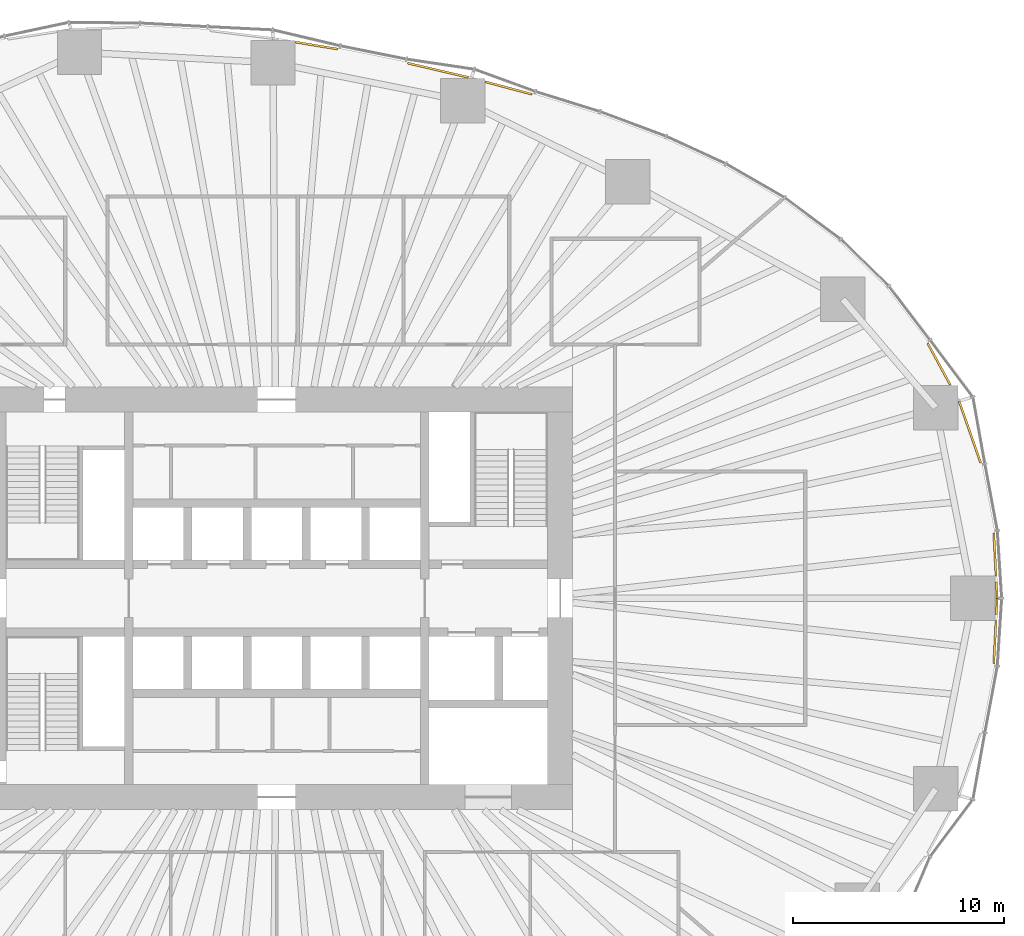
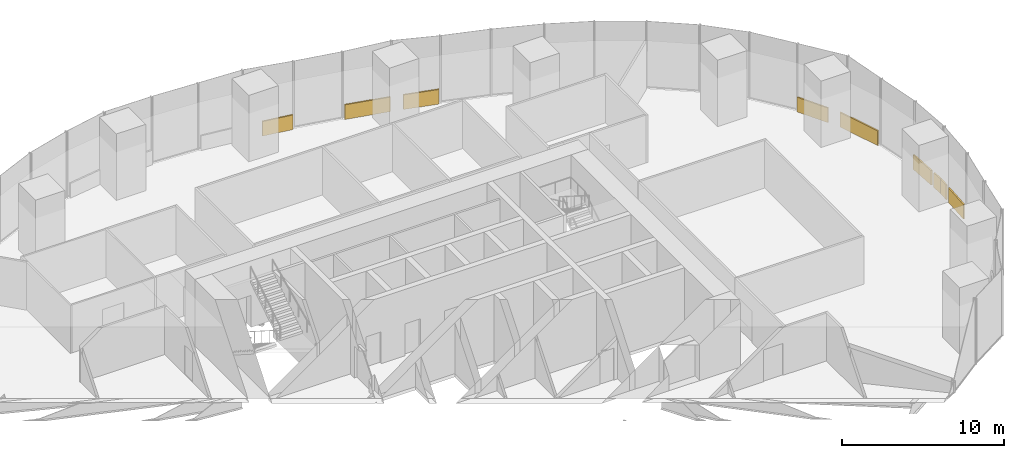
# One storey, part 20 of 20: 9 coverings.
"""IFC4 building model written with IfcOpenShell, lengths in metres."""

from ifc_helpers import new_model, si_unit, direction, frame, origin, origin_2d, place, context, subcontext, project, spatial, rectangle, extrude, material, layer, layer_set, type_object, element, save


model = new_model("IFC4")

# Units and contexts
model_context = context("Model", 3, precision=1e-05, world=origin(), true_north=direction((0.0, 1.0)))
body_context = subcontext(model_context, "Body", "Model", "MODEL_VIEW")
ifc_project = project(units=[si_unit("LENGTHUNIT", "METRE"), si_unit("AREAUNIT", "SQUARE_METRE"), si_unit("VOLUMEUNIT", "CUBIC_METRE"), si_unit("PLANEANGLEUNIT", "RADIAN"), si_unit("MASSUNIT", "GRAM", prefix="KILO")], contexts=[model_context])

# Site, building, storey
site_placement = place(None, origin())
site = spatial("IfcSite", under=ifc_project, at=site_placement, CompositionType="ELEMENT")
building_placement = place(site_placement, origin())
building = spatial("IfcBuilding", under=site, at=building_placement, Name="Ghaith Harvest Tower", CompositionType="ELEMENT")
storey_placement = place(building_placement, frame((0.0, 0.0, 50.0)))
storey = spatial("IfcBuildingStorey", under=building, at=storey_placement, Name="L10", CompositionType="ELEMENT", Elevation=50.0)

# Coverings
ifc_material = material(Name="Insulated aluminium spandrel panel on steel framing", Category="steel")
ifc_layer = layer(ifc_material, 0.10009765625)
ifc_layer_set = layer_set([ifc_layer], Name="SLAB EDGE UPSTAND 1100x100")
covering_type = type_object("IfcCoveringType", Name="SLAB EDGE UPSTAND 1100x100", PredefinedType="CLADDING", material=ifc_layer_set)
covering_1_placement = place(storey_placement, frame((34.054931640625, 0.38232421875, 0.0), z_axis=(0.0, 0.0, 1.0), x_axis=(-0.052048501689, 0.998644558125, 0.0)))
element("IfcCovering", 1, at=covering_1_placement, inside=storey, type_object=covering_type, Name="Slab edge upstand 1 bay 01 L10", PredefinedType="CLADDING", context=body_context, shape_type="SweptSolid", body=[
    extrude(rectangle(XDim=0.77099609375, YDim=0.10009765625, at=origin_2d()), origin(), (0.0, 0.0, 1.0), 1.10009765625),
])
covering_2_placement = place(storey_placement, frame((33.966796875, 2.0771484375, 0.0), z_axis=(0.0, 0.0, 1.0), x_axis=(-0.052048501689, 0.998644558125, 0.0)))
element("IfcCovering", 2, at=covering_2_placement, inside=storey, type_object=covering_type, Name="Slab edge upstand 1 bay 01 L10", PredefinedType="CLADDING", context=body_context, shape_type="SweptSolid", body=[
    extrude(rectangle(XDim=2.03173828125, YDim=0.10009765625, at=origin_2d()), origin(), (0.0, 0.0, 1.0), 1.10009765625),
])
covering_3_placement = place(storey_placement, frame((32.7822265625, 7.865234375, 0.0), z_axis=(0.0, 0.0, 1.0), x_axis=(-0.330597697022, 0.943771774702, 0.0)))
element("IfcCovering", 3, at=covering_3_placement, inside=storey, type_object=covering_type, Name="Slab edge upstand 3 bay 01 L10", PredefinedType="CLADDING", context=body_context, shape_type="SweptSolid", body=[
    extrude(rectangle(XDim=3.080078125, YDim=0.10009765625, at=origin_2d()), origin(), (0.0, 0.0, 1.0), 1.10009765625),
])
covering_4_placement = place(storey_placement, frame((31.32177734375, 11.075439453125, 0.0), z_axis=(0.0, 0.0, 1.0), x_axis=(-0.476349292539, 0.87925613532, 0.0)))
element("IfcCovering", 4, at=covering_4_placement, inside=storey, type_object=covering_type, Name="Slab edge upstand 1 bay 02 L10", PredefinedType="CLADDING", context=body_context, shape_type="SweptSolid", body=[
    extrude(rectangle(XDim=2.237548828125, YDim=0.10009765625, at=origin_2d()), origin(), (0.0, 0.0, 1.0), 1.10009765625),
])
covering_5_placement = place(storey_placement, frame((10.968994140625, 24.1298828125, 0.0), z_axis=(0.0, 0.0, 1.0), x_axis=(-0.9660243418, 0.258451099919, 0.0)))
element("IfcCovering", 5, at=covering_5_placement, inside=storey, type_object=covering_type, Name="Slab edge upstand 3 bay 04 L10", PredefinedType="CLADDING", context=body_context, shape_type="SweptSolid", body=[
    extrude(rectangle(XDim=2.27978515625, YDim=0.10009765625, at=origin_2d()), origin(), (0.0, 0.0, 1.0), 1.10009765625),
])
covering_6_placement = place(storey_placement, frame((7.627685546875, 24.971435546875, 0.0), z_axis=(0.0, 0.0, 1.0), x_axis=(-0.973634089594, 0.228115452305, 0.0)))
element("IfcCovering", 6, at=covering_6_placement, inside=storey, type_object=covering_type, Name="Slab edge upstand 1 bay 05 L10", PredefinedType="CLADDING", context=body_context, shape_type="SweptSolid", body=[
    extrude(rectangle(XDim=2.943359375, YDim=0.10009765625, at=origin_2d()), origin(), (0.0, 0.0, 1.0), 1.10009765625),
])
covering_7_placement = place(storey_placement, frame((1.891845703125, 26.135009765625, 0.0), z_axis=(0.0, 0.0, 1.0), x_axis=(-0.986716247541, 0.162453214305, 0.0)))
element("IfcCovering", 7, at=covering_7_placement, inside=storey, type_object=covering_type, Name="Slab edge upstand 3 bay 05 L10", PredefinedType="CLADDING", context=body_context, shape_type="SweptSolid", body=[
    extrude(rectangle(XDim=2.0205078125, YDim=0.10009765625, at=origin_2d()), origin(), (0.0, 0.0, 1.0), 1.10009765625),
])
covering_8_placement = place(storey_placement, frame((33.966796875, -2.0771484375, 0.0), z_axis=(0.0, 0.0, 1.0), x_axis=(0.052048501794, 0.998644558119, 0.0)))
element("IfcCovering", 8, at=covering_8_placement, inside=storey, type_object=covering_type, Name="Slab edge upstand 3 bay 20 L10", PredefinedType="CLADDING", context=body_context, shape_type="SweptSolid", body=[
    extrude(rectangle(XDim=2.03173828125, YDim=0.10009765625, at=origin_2d()), origin(), (0.0, 0.0, 1.0), 1.10009765625),
])
covering_9_placement = place(storey_placement, frame((34.054931640625, -0.38232421875, 0.0), z_axis=(0.0, 0.0, 1.0), x_axis=(0.052048501794, 0.998644558119, 0.0)))
element("IfcCovering", 9, at=covering_9_placement, inside=storey, type_object=covering_type, Name="Slab edge upstand 3 bay 20 L10", PredefinedType="CLADDING", context=body_context, shape_type="SweptSolid", body=[
    extrude(rectangle(XDim=0.77099609375, YDim=0.10009765625, at=origin_2d()), origin(), (0.0, 0.0, 1.0), 1.10009765625),
])

save(model, "model.ifc")
